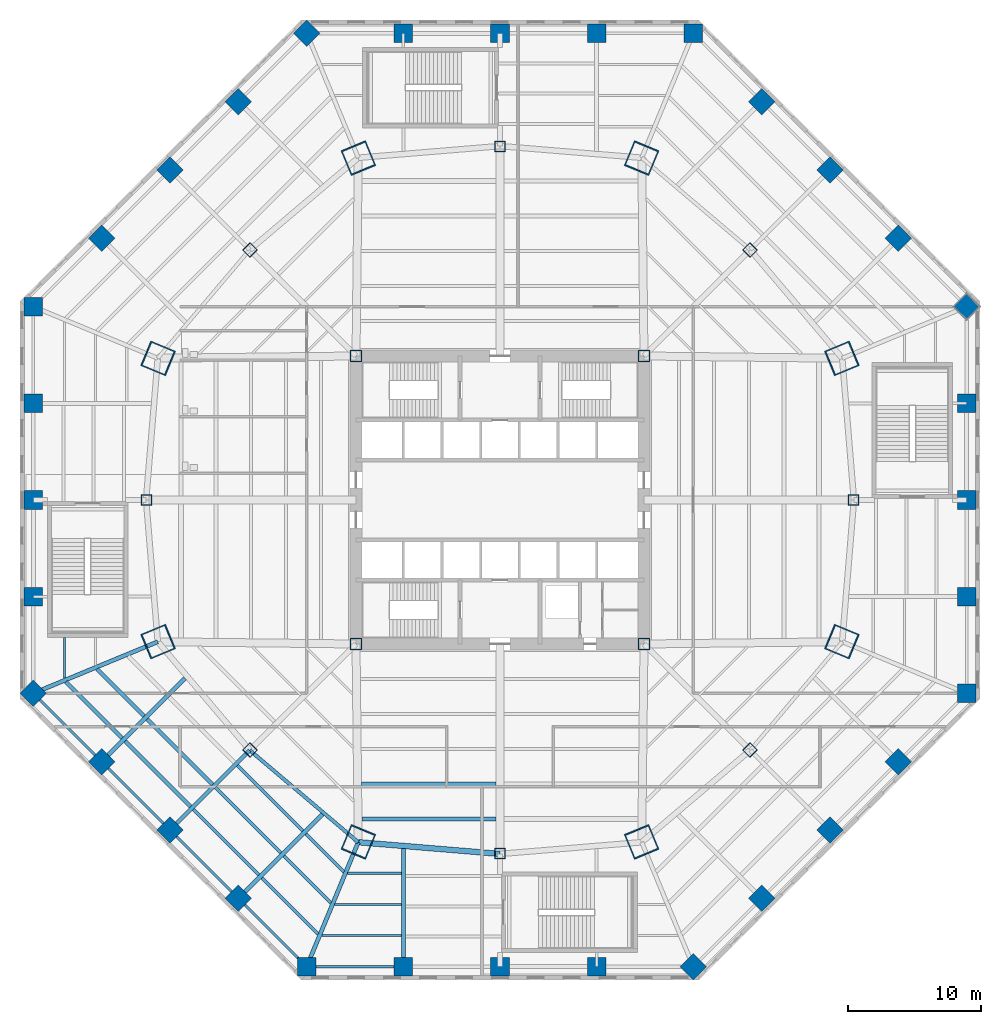
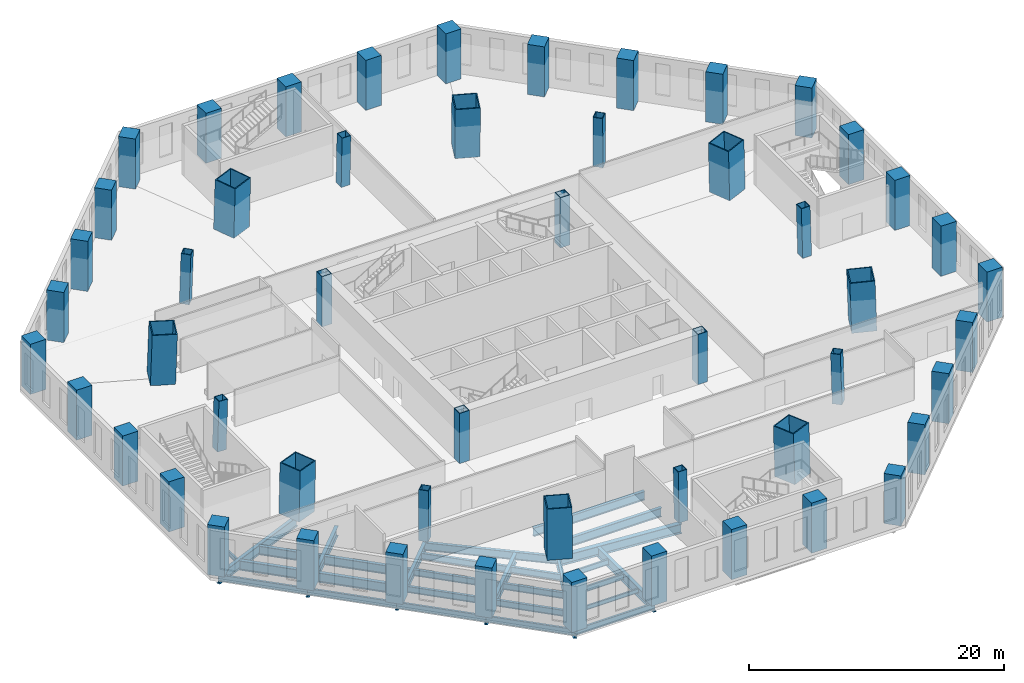
# One storey, part 1 of 19: 52 columns, 29 beams.
"""IFC4 building model written with IfcOpenShell, lengths in metres."""

from ifc_helpers import new_model, si_unit, direction, frame, origin, origin_2d, place, context, subcontext, project, spatial, rectangle, hollow_rectangle, i_section, extrude, material, material_profile, profile_set, type_object, element, save


model = new_model("IFC4")

# Units and contexts
model_context = context("Model", 3, precision=1e-05, world=origin(), true_north=direction((0.0, 1.0)))
body_context = subcontext(model_context, "Body", "Model", "MODEL_VIEW")
ifc_project = project(units=[si_unit("LENGTHUNIT", "METRE"), si_unit("AREAUNIT", "SQUARE_METRE"), si_unit("VOLUMEUNIT", "CUBIC_METRE"), si_unit("PLANEANGLEUNIT", "RADIAN"), si_unit("MASSUNIT", "GRAM", prefix="KILO")], contexts=[model_context])

# Site, building, storey
site_placement = place(None, origin())
site = spatial("IfcSite", under=ifc_project, at=site_placement, CompositionType="ELEMENT")
building_placement = place(site_placement, origin())
building = spatial("IfcBuilding", under=site, at=building_placement, Name="Mashrafa Tower", CompositionType="ELEMENT")
storey_placement = place(building_placement, frame((0.0, 0.0, 24.0)))
storey = spatial("IfcBuildingStorey", under=building, at=storey_placement, Name="L04", CompositionType="ELEMENT", Elevation=24.0)

# Columns
ifc_material_1 = material(Name="Steel ASTM A572 Gr 50", Category="steel")
ifc_material_profile_1 = material_profile(ifc_material_1, hollow_rectangle(XDim=0.89990234375, YDim=0.89990234375, WallThickness=0.06005859375, at=origin_2d()), Name="BOX900X900X60")
ifc_profile_set_1 = profile_set([ifc_material_profile_1], Name="Steel ASTM A572 Gr 50")
column_type_1 = type_object("IfcColumnType", Name="Core corner column BOX900X900X60", PredefinedType="COLUMN", material=ifc_profile_set_1)
for number, where, z_axis, x_axis, name in (
    (1, (10.800048828125, 10.800048828125, 0.0), (0.0, 0.0, 1.0), (1.0, 0.0, 0.0), "Core corner column CC-NE L04"),
    (2, (-10.800048828125, 10.800048828125, 0.0), (0.0, 0.0, 1.0), (1.0, 0.0, 0.0), "Core corner column CC-NW L04"),
    (3, (-10.800048828125, -10.800048828125, 0.0), (0.0, 0.0, 1.0), (1.0, 0.0, 0.0), "Core corner column CC-SW L04"),
    (4, (10.800048828125, -10.800048828125, 0.0), (0.0, 0.0, 1.0), (1.0, 0.0, 0.0), "Core corner column CC-SE L04"),
):
    element("IfcColumn", number, at=place(storey_placement, frame(where, z_axis=z_axis, x_axis=x_axis)), inside=storey, type_object=column_type_1, Name=name, PredefinedType="COLUMN", context=body_context, shape_type="SweptSolid", body=[
        extrude(hollow_rectangle(XDim=0.89990234375, YDim=0.89990234375, WallThickness=0.06005859375, at=origin_2d()), origin(), (0.0, 0.0, 1.0), 4.800048828125),
    ])
ifc_material_2 = material(Name="Steel ASTM A572 Gr 50", Category="steel")
ifc_material_profile_2 = material_profile(ifc_material_2, hollow_rectangle(XDim=2.0, YDim=2.0, WallThickness=0.090087890625, at=origin_2d()), Name="BOX2000X2000X90")
ifc_profile_set_2 = profile_set([ifc_material_profile_2], Name="Steel ASTM A572 Gr 50")
column_type_2 = type_object("IfcColumnType", Name="Mega column CFST BOX2000X2000X90", PredefinedType="COLUMN", material=ifc_profile_set_2)
for number, where, z_axis, x_axis, name in (
    (5, (25.657470703125, 10.627685546875, 0.0), (-0.028266101221, -0.011692811656, 0.999532043347), (0.382253928177, -0.924057322028, 0.0), "Mega column MC1 L04"),
    (6, (10.627685546875, 25.657470703125, 0.0), (-0.011692811656, -0.028266101221, 0.999532043347), (0.924057322028, -0.382253928177, 0.0), "Mega column MC2 L04"),
    (7, (-10.627685546875, 25.657470703125, 0.0), (0.011692811656, -0.028266101221, 0.999532043347), (0.924057322028, 0.382253928177, 0.0), "Mega column MC3 L04"),
    (8, (-25.657470703125, 10.627685546875, 0.0), (0.028266101221, -0.011692811656, 0.999532043347), (0.382253928177, 0.924057322028, 0.0), "Mega column MC4 L04"),
    (9, (-25.657470703125, -10.627685546875, 0.0), (0.028266101221, 0.011692811656, 0.999532043347), (-0.382253928177, 0.924057322028, 0.0), "Mega column MC5 L04"),
    (10, (-10.627685546875, -25.657470703125, 0.0), (0.011692811656, 0.028266101221, 0.999532043347), (-0.924057322028, 0.382253928177, 0.0), "Mega column MC6 L04"),
    (11, (10.627685546875, -25.657470703125, 0.0), (-0.011692811656, 0.028266101221, 0.999532043347), (-0.924057322028, -0.382253928177, 0.0), "Mega column MC7 L04"),
    (12, (25.657470703125, -10.627685546875, 0.0), (-0.028266101221, 0.011692811656, 0.999532043347), (-0.382253928177, -0.924057322028, 0.0), "Mega column MC8 L04"),
):
    element("IfcColumn", number, at=place(storey_placement, frame(where, z_axis=z_axis, x_axis=x_axis)), inside=storey, type_object=column_type_2, Name=name, PredefinedType="COLUMN", context=body_context, shape_type="SweptSolid", body=[
        extrude(hollow_rectangle(XDim=2.0, YDim=2.0, WallThickness=0.090087890625, at=origin_2d()), origin(), (0.0, 0.0, 1.0), 4.80224609375),
    ])
ifc_material_3 = material(Name="Concrete C50/60", Category="concrete")
ifc_material_profile_3 = material_profile(ifc_material_3, rectangle(XDim=1.39990234375, YDim=1.39990234375, at=origin_2d()), Name="RC1400X1400")
ifc_profile_set_3 = profile_set([ifc_material_profile_3], Name="Concrete C50/60")
column_type_3 = type_object("IfcColumnType", Name="Podium column RC1400X1400", PredefinedType="COLUMN", material=ifc_profile_set_3)
for number, where, z_axis, x_axis, name in (
    (13, (35.0, -14.49755859375, 0.0), (0.0, 0.0, 1.0), (1.0, 0.0, 0.0), "Podium column PC01 L04"),
    (14, (35.0, -7.248779296875, 0.0), (0.0, 0.0, 1.0), (1.0, 0.0, 0.0), "Podium column PC02 L04"),
    (15, (35.0, 0.0, 0.0), (0.0, 0.0, 1.0), (1.0, 0.0, 0.0), "Podium column PC03 L04"),
    (16, (35.0, 7.248779296875, 0.0), (0.0, 0.0, 1.0), (1.0, 0.0, 0.0), "Podium column PC04 L04"),
    (17, (35.0, 14.49755859375, 0.0), (0.0, 0.0, 1.0), (0.707106781187, 0.707106781187, 0.0), "Podium column PC05 L04"),
    (18, (29.874267578125, 19.623046875, 0.0), (0.0, 0.0, 1.0), (0.707106781187, 0.707106781187, 0.0), "Podium column PC06 L04"),
    (19, (24.748779296875, 24.748779296875, 0.0), (0.0, 0.0, 1.0), (0.707106781187, 0.707106781187, 0.0), "Podium column PC07 L04"),
    (20, (19.623046875, 29.874267578125, 0.0), (0.0, 0.0, 1.0), (0.707106781187, 0.707106781187, 0.0), "Podium column PC08 L04"),
    (21, (14.49755859375, 35.0, 0.0), (0.0, 0.0, 1.0), (1.0, 0.0, 0.0), "Podium column PC09 L04"),
    (22, (7.248779296875, 35.0, 0.0), (0.0, 0.0, 1.0), (1.0, 0.0, 0.0), "Podium column PC10 L04"),
    (23, (0.0, 35.0, 0.0), (0.0, 0.0, 1.0), (1.0, 0.0, 0.0), "Podium column PC11 L04"),
    (24, (-7.248779296875, 35.0, 0.0), (0.0, 0.0, 1.0), (1.0, 0.0, 0.0), "Podium column PC12 L04"),
    (25, (-14.49755859375, 35.0, 0.0), (0.0, 0.0, 1.0), (0.707106781187, 0.707106781187, 0.0), "Podium column PC13 L04"),
    (26, (-19.623046875, 29.874267578125, 0.0), (0.0, 0.0, 1.0), (0.707106781187, 0.707106781187, 0.0), "Podium column PC14 L04"),
    (27, (-24.748779296875, 24.748779296875, 0.0), (0.0, 0.0, 1.0), (0.707106781187, 0.707106781187, 0.0), "Podium column PC15 L04"),
    (28, (-29.874267578125, 19.623046875, 0.0), (0.0, 0.0, 1.0), (0.707106781187, 0.707106781187, 0.0), "Podium column PC16 L04"),
    (29, (-35.0, 14.49755859375, 0.0), (0.0, 0.0, 1.0), (1.0, 0.0, 0.0), "Podium column PC17 L04"),
    (30, (-35.0, 7.248779296875, 0.0), (0.0, 0.0, 1.0), (1.0, 0.0, 0.0), "Podium column PC18 L04"),
    (31, (-35.0, 0.0, 0.0), (0.0, 0.0, 1.0), (1.0, 0.0, 0.0), "Podium column PC19 L04"),
    (32, (-35.0, -7.248779296875, 0.0), (0.0, 0.0, 1.0), (1.0, 0.0, 0.0), "Podium column PC20 L04"),
    (33, (-35.0, -14.49755859375, 0.0), (0.0, 0.0, 1.0), (0.707106781187, 0.707106781187, 0.0), "Podium column PC21 L04"),
    (34, (-29.874267578125, -19.623046875, 0.0), (0.0, 0.0, 1.0), (0.707106781187, 0.707106781187, 0.0), "Podium column PC22 L04"),
    (35, (-24.748779296875, -24.748779296875, 0.0), (0.0, 0.0, 1.0), (0.707106781187, 0.707106781187, 0.0), "Podium column PC23 L04"),
    (36, (-19.623046875, -29.874267578125, 0.0), (0.0, 0.0, 1.0), (0.707106781187, 0.707106781187, 0.0), "Podium column PC24 L04"),
    (37, (-14.49755859375, -35.0, 0.0), (0.0, 0.0, 1.0), (1.0, 0.0, 0.0), "Podium column PC25 L04"),
    (38, (-7.248779296875, -35.0, 0.0), (0.0, 0.0, 1.0), (1.0, 0.0, 0.0), "Podium column PC26 L04"),
    (39, (0.0, -35.0, 0.0), (0.0, 0.0, 1.0), (1.0, 0.0, 0.0), "Podium column PC27 L04"),
    (40, (7.248779296875, -35.0, 0.0), (0.0, 0.0, 1.0), (1.0, 0.0, 0.0), "Podium column PC28 L04"),
    (41, (14.49755859375, -35.0, 0.0), (0.0, 0.0, 1.0), (0.707106781187, 0.707106781187, 0.0), "Podium column PC29 L04"),
    (42, (19.623046875, -29.874267578125, 0.0), (0.0, 0.0, 1.0), (0.707106781187, 0.707106781187, 0.0), "Podium column PC30 L04"),
    (43, (24.748779296875, -24.748779296875, 0.0), (0.0, 0.0, 1.0), (0.707106781187, 0.707106781187, 0.0), "Podium column PC31 L04"),
    (44, (29.874267578125, -19.623046875, 0.0), (0.0, 0.0, 1.0), (0.707106781187, 0.707106781187, 0.0), "Podium column PC32 L04"),
):
    element("IfcColumn", number, at=place(storey_placement, frame(where, z_axis=z_axis, x_axis=x_axis)), inside=storey, type_object=column_type_3, Name=name, PredefinedType="COLUMN", context=body_context, shape_type="SweptSolid", body=[
        extrude(rectangle(XDim=1.39990234375, YDim=1.39990234375, at=origin_2d()), origin(), (0.0, 0.0, 1.0), 4.800048828125),
    ])
ifc_material_4 = material(Name="Steel ASTM A572 Gr 50", Category="steel")
ifc_material_profile_4 = material_profile(ifc_material_4, hollow_rectangle(XDim=0.800048828125, YDim=0.800048828125, WallThickness=0.050048828125, at=origin_2d()), Name="BOX800X800X50")
ifc_profile_set_4 = profile_set([ifc_material_profile_4], Name="Steel ASTM A572 Gr 50")
column_type_4 = type_object("IfcColumnType", Name="Secondary column BOX800X800X50", PredefinedType="COLUMN", material=ifc_profile_set_4)
for number, where, z_axis, x_axis, name in (
    (45, (26.535888671875, 0.0, 0.0), (-0.028318834767, 0.0, 0.999598941375), (0.0, -1.0, 0.0), "Secondary column SC1 L04"),
    (46, (18.763671875, 18.763671875, 0.0), (-0.019980828539, -0.019980828539, 0.999600686765), (0.707106781187, -0.707106781187, 0.0), "Secondary column SC2 L04"),
    (47, (0.0, 26.535888671875, 0.0), (0.0, -0.028318834767, 0.999598941375), (1.0, 0.0, 0.0), "Secondary column SC3 L04"),
    (48, (-18.763671875, 18.763671875, 0.0), (0.019980828539, -0.019980828539, 0.999600686765), (0.707106781187, 0.707106781187, 0.0), "Secondary column SC4 L04"),
    (49, (-26.535888671875, 0.0, 0.0), (0.028318834767, 0.0, 0.999598941375), (0.0, 1.0, 0.0), "Secondary column SC5 L04"),
    (50, (-18.763671875, -18.763671875, 0.0), (0.019980828539, 0.019980828539, 0.999600686765), (-0.707106781187, 0.707106781187, 0.0), "Secondary column SC6 L04"),
    (51, (0.0, -26.535888671875, 0.0), (0.0, 0.028318834767, 0.999598941375), (-1.0, 0.0, 0.0), "Secondary column SC7 L04"),
    (52, (18.763671875, -18.763671875, 0.0), (-0.019980828539, 0.019980828539, 0.999600686765), (-0.707106781187, -0.707106781187, 0.0), "Secondary column SC8 L04"),
):
    element("IfcColumn", number, at=place(storey_placement, frame(where, z_axis=z_axis, x_axis=x_axis)), inside=storey, type_object=column_type_4, Name=name, PredefinedType="COLUMN", context=body_context, shape_type="SweptSolid", body=[
        extrude(hollow_rectangle(XDim=0.800048828125, YDim=0.800048828125, WallThickness=0.050048828125, at=origin_2d()), origin(), (0.0, 0.0, 1.0), 4.802001953125),
    ])

# Beams
ifc_material_5 = material(Name="Steel ASTM A992", Category="steel")
ifc_material_profile_5 = material_profile(ifc_material_5, i_section(OverallWidth=0.140380859375, OverallDepth=0.40380859375, WebThickness=0.007080078125, FlangeThickness=0.01123046875, FilletRadius=0.01025390625, at=origin_2d()), Name="W16X31")
ifc_profile_set_5 = profile_set([ifc_material_profile_5], Name="Steel ASTM A992")
beam_type_1 = type_object("IfcBeamType", Name="Beam W16X31", PredefinedType="BEAM", material=ifc_profile_set_5)
beam_1_placement = place(storey_placement, frame((-7.40234375, -32.66650390625, -0.501953125), z_axis=(-1.0, 0.0, 0.0), x_axis=(0.0, -1.0, 0.0)))
element("IfcBeam", 53, at=beam_1_placement, inside=storey, type_object=beam_type_1, Name="Floor beam L04 050", PredefinedType="BEAM", context=body_context, shape_type="SweptSolid", body=[
    extrude(i_section(OverallWidth=0.140380859375, OverallDepth=0.40380859375, WebThickness=0.007080078125, FlangeThickness=0.01123046875, FilletRadius=0.01025390625, at=origin_2d()), origin(), (0.0, 0.0, 1.0), 5.962158203125),
])
ifc_material_6 = material(Name="Steel ASTM A992", Category="steel")
ifc_material_profile_6 = material_profile(ifc_material_6, i_section(OverallWidth=0.15234375, OverallDepth=0.449462890625, WebThickness=0.007568359375, FlangeThickness=0.0107421875, FilletRadius=0.01025390625, at=origin_2d()), Name="W18X35")
ifc_profile_set_6 = profile_set([ifc_material_profile_6], Name="Steel ASTM A992")
beam_type_2 = type_object("IfcBeamType", Name="Beam W18X35", PredefinedType="BEAM", material=ifc_profile_set_6)
beam_2_placement = place(storey_placement, frame((-32.66650390625, -13.364501953125, -0.52490234375), z_axis=(0.0, 1.0, 0.0), x_axis=(-1.0, 0.0, 0.0)))
element("IfcBeam", 54, at=beam_2_placement, inside=storey, type_object=beam_type_2, Name="Floor beam L04 002", PredefinedType="BEAM", context=body_context, shape_type="SweptSolid", body=[
    extrude(i_section(OverallWidth=0.15234375, OverallDepth=0.449462890625, WebThickness=0.007568359375, FlangeThickness=0.0107421875, FilletRadius=0.01025390625, at=origin_2d()), origin(), (0.0, 0.0, 1.0), 3.064453125),
])
ifc_material_7 = material(Name="Steel ASTM A992", Category="steel")
ifc_material_profile_7 = material_profile(ifc_material_7, i_section(OverallWidth=0.1650390625, OverallDepth=0.52587890625, WebThickness=0.0087890625, FlangeThickness=0.011474609375, FilletRadius=0.0126953125, at=origin_2d()), Name="W21X44")
ifc_profile_set_7 = profile_set([ifc_material_profile_7], Name="Steel ASTM A992")
beam_type_3 = type_object("IfcBeamType", Name="Beam W21X44", PredefinedType="BEAM", material=ifc_profile_set_7)
beam_3_placement = place(storey_placement, frame((-7.40234375, -30.3330078125, -0.56298828125), z_axis=(-1.0, 0.0, 0.0), x_axis=(0.0, -1.0, 0.0)))
element("IfcBeam", 55, at=beam_3_placement, inside=storey, type_object=beam_type_3, Name="Floor beam L04 051", PredefinedType="BEAM", context=body_context, shape_type="SweptSolid", body=[
    extrude(i_section(OverallWidth=0.1650390625, OverallDepth=0.52587890625, WebThickness=0.0087890625, FlangeThickness=0.011474609375, FilletRadius=0.0126953125, at=origin_2d()), origin(), (0.0, 0.0, 1.0), 4.995849609375),
])
beam_4_placement = place(storey_placement, frame((-7.40234375, -27.99951171875, -0.56298828125), z_axis=(-1.0, 0.0, 0.0), x_axis=(0.0, -1.0, 0.0)))
element("IfcBeam", 56, at=beam_4_placement, inside=storey, type_object=beam_type_3, Name="Floor beam L04 052", PredefinedType="BEAM", context=body_context, shape_type="SweptSolid", body=[
    extrude(i_section(OverallWidth=0.1650390625, OverallDepth=0.52587890625, WebThickness=0.0087890625, FlangeThickness=0.011474609375, FilletRadius=0.0126953125, at=origin_2d()), origin(), (0.0, 0.0, 1.0), 4.029052734375),
])
ifc_material_8 = material(Name="Steel ASTM A992", Category="steel")
ifc_material_profile_8 = material_profile(ifc_material_8, i_section(OverallWidth=0.177978515625, OverallDepth=0.599365234375, WebThickness=0.010009765625, FlangeThickness=0.012939453125, FilletRadius=0.012939453125, at=origin_2d()), Name="W24X55")
ifc_profile_set_8 = profile_set([ifc_material_profile_8], Name="Steel ASTM A992")
beam_type_4 = type_object("IfcBeamType", Name="Beam W24X55", PredefinedType="BEAM", material=ifc_profile_set_8)
beam_5_placement = place(storey_placement, frame((-35.0, -14.49755859375, -0.599609375), z_axis=(0.707106781187, -0.707106781187, 0.0), x_axis=(0.707106781187, 0.707106781187, 0.0)))
element("IfcBeam", 57, at=beam_5_placement, inside=storey, type_object=beam_type_4, Name="Podium edge beam L04 121", PredefinedType="BEAM", context=body_context, shape_type="SweptSolid", body=[
    extrude(i_section(OverallWidth=0.177978515625, OverallDepth=0.599365234375, WebThickness=0.010009765625, FlangeThickness=0.012939453125, FilletRadius=0.012939453125, at=origin_2d()), origin(), (0.0, 0.0, 1.0), 7.24853515625),
])
for number, where, z_axis, x_axis, name in (
    (58, (-29.87451171875, -19.623046875, -0.599609375), (0.707106781187, -0.707106781187, 0.0), (0.707106781187, 0.707106781187, 0.0), "Podium edge beam L04 126"),
    (59, (-24.748779296875, -24.748779296875, -0.599609375), (0.707106781187, -0.707106781187, 0.0), (0.707106781187, 0.707106781187, 0.0), "Podium edge beam L04 128"),
):
    element("IfcBeam", number, at=place(storey_placement, frame(where, z_axis=z_axis, x_axis=x_axis)), inside=storey, type_object=beam_type_4, Name=name, PredefinedType="BEAM", context=body_context, shape_type="SweptSolid", body=[
        extrude(i_section(OverallWidth=0.177978515625, OverallDepth=0.599365234375, WebThickness=0.010009765625, FlangeThickness=0.012939453125, FilletRadius=0.012939453125, at=origin_2d()), origin(), (0.0, 0.0, 1.0), 7.248779296875),
    ])
beam_6_placement = place(storey_placement, frame((-19.623046875, -29.87451171875, -0.599609375), z_axis=(0.707106781187, -0.707106781187, 0.0), x_axis=(0.707106781187, 0.707106781187, 0.0)))
element("IfcBeam", 60, at=beam_6_placement, inside=storey, type_object=beam_type_4, Name="Podium edge beam L04 130", PredefinedType="BEAM", context=body_context, shape_type="SweptSolid", body=[
    extrude(i_section(OverallWidth=0.177978515625, OverallDepth=0.599365234375, WebThickness=0.010009765625, FlangeThickness=0.012939453125, FilletRadius=0.012939453125, at=origin_2d()), origin(), (0.0, 0.0, 1.0), 7.24853515625),
])
beam_7_placement = place(storey_placement, frame((-14.49755859375, -35.0, -0.599609375), z_axis=(1.0, 0.0, 0.0), x_axis=(0.0, 1.0, 0.0)))
element("IfcBeam", 61, at=beam_7_placement, inside=storey, type_object=beam_type_4, Name="Podium edge beam L04 132", PredefinedType="BEAM", context=body_context, shape_type="SweptSolid", body=[
    extrude(i_section(OverallWidth=0.177978515625, OverallDepth=0.599365234375, WebThickness=0.010009765625, FlangeThickness=0.012939453125, FilletRadius=0.012939453125, at=origin_2d()), origin(), (0.0, 0.0, 1.0), 7.248779296875),
])
ifc_material_9 = material(Name="Steel ASTM A992", Category="steel")
ifc_material_profile_9 = material_profile(ifc_material_9, i_section(OverallWidth=0.227783203125, OverallDepth=0.60205078125, WebThickness=0.010498046875, FlangeThickness=0.014892578125, FilletRadius=0.012939453125, at=origin_2d()), Name="W24X68")
ifc_profile_set_9 = profile_set([ifc_material_profile_9], Name="Steel ASTM A992")
beam_type_5 = type_object("IfcBeamType", Name="Beam W24X68", PredefinedType="BEAM", material=ifc_profile_set_9)
beam_8_placement = place(storey_placement, frame((-12.681884765625, -30.21533203125, -0.60107421875), z_axis=(-0.707131216842, 0.707082344687, 0.0), x_axis=(-0.707082344687, -0.707131216842, 0.0)))
element("IfcBeam", 62, at=beam_8_placement, inside=storey, type_object=beam_type_5, Name="Floor beam L04 039 part 1", PredefinedType="BEAM", context=body_context, shape_type="SweptSolid", body=[
    extrude(i_section(OverallWidth=0.227783203125, OverallDepth=0.60205078125, WebThickness=0.010498046875, FlangeThickness=0.014892578125, FilletRadius=0.012939453125, at=origin_2d()), origin(), (0.0, 0.0, 1.0), 4.99560546875),
])
beam_9_placement = place(storey_placement, frame((-16.431640625, -26.465576171875, -0.60107421875), z_axis=(-0.707124347529, 0.707089214407, 0.0), x_axis=(-0.707089214407, -0.707124347529, 0.0)))
element("IfcBeam", 63, at=beam_9_placement, inside=storey, type_object=beam_type_5, Name="Floor beam L04 039 part 2", PredefinedType="BEAM", context=body_context, shape_type="SweptSolid", body=[
    extrude(i_section(OverallWidth=0.227783203125, OverallDepth=0.60205078125, WebThickness=0.010498046875, FlangeThickness=0.014892578125, FilletRadius=0.012939453125, at=origin_2d()), origin(), (0.0, 0.0, 1.0), 6.948974609375),
])
ifc_material_10 = material(Name="Steel ASTM A992", Category="steel")
ifc_material_profile_10 = material_profile(ifc_material_10, i_section(OverallWidth=0.228271484375, OverallDepth=0.607177734375, WebThickness=0.01123046875, FlangeThickness=0.017333984375, FilletRadius=0.0126953125, at=origin_2d()), Name="W24X76")
ifc_profile_set_10 = profile_set([ifc_material_profile_10], Name="Steel ASTM A992")
beam_type_6 = type_object("IfcBeamType", Name="Beam W24X76", PredefinedType="BEAM", material=ifc_profile_set_10)
beam_10_placement = place(storey_placement, frame((-13.6484375, -32.548828125, -0.603515625), z_axis=(-0.707127254781, 0.707086306999, 0.0), x_axis=(-0.707086306999, -0.707127254781, 0.0)))
element("IfcBeam", 64, at=beam_10_placement, inside=storey, type_object=beam_type_6, Name="Floor beam L04 033 part 1", PredefinedType="BEAM", context=body_context, shape_type="SweptSolid", body=[
    extrude(i_section(OverallWidth=0.228271484375, OverallDepth=0.607177734375, WebThickness=0.01123046875, FlangeThickness=0.017333984375, FilletRadius=0.0126953125, at=origin_2d()), origin(), (0.0, 0.0, 1.0), 5.962158203125),
])
beam_11_placement = place(storey_placement, frame((-18.081787109375, -28.11572265625, -0.603515625), z_axis=(-0.707089214407, 0.707124347529, 0.0), x_axis=(-0.707124347529, -0.707089214407, 0.0)))
element("IfcBeam", 65, at=beam_11_placement, inside=storey, type_object=beam_type_6, Name="Floor beam L04 033 part 2", PredefinedType="BEAM", context=body_context, shape_type="SweptSolid", body=[
    extrude(i_section(OverallWidth=0.228271484375, OverallDepth=0.607177734375, WebThickness=0.01123046875, FlangeThickness=0.017333984375, FilletRadius=0.0126953125, at=origin_2d()), origin(), (0.0, 0.0, 1.0), 6.948974609375),
])
ifc_material_11 = material(Name="Steel ASTM A992", Category="steel")
ifc_material_profile_11 = material_profile(ifc_material_11, i_section(OverallWidth=0.22900390625, OverallDepth=0.612060546875, WebThickness=0.011962890625, FlangeThickness=0.01953125, FilletRadius=0.0126953125, at=origin_2d()), Name="W24X84")
ifc_profile_set_11 = profile_set([ifc_material_profile_11], Name="Steel ASTM A992")
beam_type_7 = type_object("IfcBeamType", Name="Beam W24X84", PredefinedType="BEAM", material=ifc_profile_set_11)
beam_12_placement = place(storey_placement, frame((-11.71533203125, -27.882080078125, -0.60595703125), z_axis=(-0.707106781187, 0.707106781187, 0.0), x_axis=(-0.707106781187, -0.707106781187, 0.0)))
element("IfcBeam", 66, at=beam_12_placement, inside=storey, type_object=beam_type_7, Name="Floor beam L04 041 part 1", PredefinedType="BEAM", context=body_context, shape_type="SweptSolid", body=[
    extrude(i_section(OverallWidth=0.22900390625, OverallDepth=0.612060546875, WebThickness=0.011962890625, FlangeThickness=0.01953125, FilletRadius=0.0126953125, at=origin_2d()), origin(), (0.0, 0.0, 1.0), 4.02880859375),
])
beam_13_placement = place(storey_placement, frame((-14.78173828125, -24.815673828125, -0.60595703125), z_axis=(-0.707106781187, 0.707106781187, 0.0), x_axis=(-0.707106781187, -0.707106781187, 0.0)))
element("IfcBeam", 67, at=beam_13_placement, inside=storey, type_object=beam_type_7, Name="Floor beam L04 041 part 2", PredefinedType="BEAM", context=body_context, shape_type="SweptSolid", body=[
    extrude(i_section(OverallWidth=0.22900390625, OverallDepth=0.612060546875, WebThickness=0.011962890625, FlangeThickness=0.01953125, FilletRadius=0.0126953125, at=origin_2d()), origin(), (0.0, 0.0, 1.0), 6.94873046875),
])
ifc_material_12 = material(Name="Steel ASTM A992", Category="steel")
ifc_material_profile_12 = material_profile(ifc_material_12, i_section(OverallWidth=0.2666015625, OverallDepth=0.75439453125, WebThickness=0.01318359375, FlangeThickness=0.01708984375, FilletRadius=0.0166015625, at=origin_2d()), Name="W30X99")
ifc_profile_set_12 = profile_set([ifc_material_profile_12], Name="Steel ASTM A992")
beam_type_8 = type_object("IfcBeamType", Name="Beam W30X99", PredefinedType="BEAM", material=ifc_profile_set_12)
beam_14_placement = place(storey_placement, frame((-18.76953125, -18.76953125, -0.67724609375), z_axis=(0.762918176562, -0.646495054793, 0.0), x_axis=(0.646495054793, 0.762918176562, 0.0)))
element("IfcBeam", 68, at=beam_14_placement, inside=storey, type_object=beam_type_8, Name="Podium ring girder L04 196", PredefinedType="BEAM", context=body_context, shape_type="SweptSolid", body=[
    extrude(i_section(OverallWidth=0.2666015625, OverallDepth=0.75439453125, WebThickness=0.01318359375, FlangeThickness=0.01708984375, FilletRadius=0.0166015625, at=origin_2d()), origin(), (0.0, 0.0, 1.0), 10.66748046875),
])
ifc_material_13 = material(Name="Steel ASTM A992", Category="steel")
ifc_material_profile_13 = material_profile(ifc_material_13, i_section(OverallWidth=0.2919921875, OverallDepth=0.8408203125, WebThickness=0.0146484375, FlangeThickness=0.021728515625, FilletRadius=0.017333984375, at=origin_2d()), Name="W33X130")
ifc_profile_set_13 = profile_set([ifc_material_profile_13], Name="Steel ASTM A992")
beam_type_9 = type_object("IfcBeamType", Name="Beam W33X130", PredefinedType="BEAM", material=ifc_profile_set_13)
beam_15_placement = place(storey_placement, frame((-0.300048828125, -21.296142578125, -0.720458984375), z_axis=(-1.0, 0.0, 0.0), x_axis=(0.0, -1.0, 0.0)))
element("IfcBeam", 69, at=beam_15_placement, inside=storey, type_object=beam_type_9, Name="Floor beam L04 057", PredefinedType="BEAM", context=body_context, shape_type="SweptSolid", body=[
    extrude(i_section(OverallWidth=0.2919921875, OverallDepth=0.8408203125, WebThickness=0.0146484375, FlangeThickness=0.021728515625, FilletRadius=0.017333984375, at=origin_2d()), origin(), (0.0, 0.0, 1.0), 10.080810546875),
])
ifc_material_14 = material(Name="Steel ASTM A992", Category="steel")
ifc_material_profile_14 = material_profile(ifc_material_14, i_section(OverallWidth=0.2919921875, OverallDepth=0.845703125, WebThickness=0.015380859375, FlangeThickness=0.0244140625, FilletRadius=0.017333984375, at=origin_2d()), Name="W33X141")
ifc_profile_set_14 = profile_set([ifc_material_profile_14], Name="Steel ASTM A992")
beam_type_10 = type_object("IfcBeamType", Name="Beam W33X141", PredefinedType="BEAM", material=ifc_profile_set_14)
beam_16_placement = place(storey_placement, frame((-21.552001953125, -21.345458984375, -0.722900390625), z_axis=(-0.707089214407, 0.707124347529, 0.0), x_axis=(-0.707124347529, -0.707089214407, 0.0)))
element("IfcBeam", 70, at=beam_16_placement, inside=storey, type_object=beam_type_10, Name="Floor beam L04 017 part 1", PredefinedType="BEAM", context=body_context, shape_type="SweptSolid", body=[
    extrude(i_section(OverallWidth=0.2919921875, OverallDepth=0.845703125, WebThickness=0.015380859375, FlangeThickness=0.0244140625, FilletRadius=0.017333984375, at=origin_2d()), origin(), (0.0, 0.0, 1.0), 6.948974609375),
])
beam_17_placement = place(storey_placement, frame((-26.68310546875, -16.21435546875, -0.722900390625), z_axis=(-0.707082344687, 0.707131216842, 0.0), x_axis=(-0.707131216842, -0.707082344687, 0.0)))
element("IfcBeam", 71, at=beam_17_placement, inside=storey, type_object=beam_type_10, Name="Floor beam L04 017 part 2", PredefinedType="BEAM", context=body_context, shape_type="SweptSolid", body=[
    extrude(i_section(OverallWidth=0.2919921875, OverallDepth=0.845703125, WebThickness=0.015380859375, FlangeThickness=0.0244140625, FilletRadius=0.017333984375, at=origin_2d()), origin(), (0.0, 0.0, 1.0), 4.99560546875),
])
beam_18_placement = place(storey_placement, frame((-0.300048828125, -23.92041015625, -0.722900390625), z_axis=(-1.0, 0.0, 0.0), x_axis=(0.0, -1.0, 0.0)))
element("IfcBeam", 72, at=beam_18_placement, inside=storey, type_object=beam_type_10, Name="Floor beam L04 056", PredefinedType="BEAM", context=body_context, shape_type="SweptSolid", body=[
    extrude(i_section(OverallWidth=0.2919921875, OverallDepth=0.845703125, WebThickness=0.015380859375, FlangeThickness=0.0244140625, FilletRadius=0.017333984375, at=origin_2d()), origin(), (0.0, 0.0, 1.0), 10.051025390625),
])
ifc_material_15 = material(Name="Steel ASTM A992", Category="steel")
ifc_material_profile_15 = material_profile(ifc_material_15, i_section(OverallWidth=0.2919921875, OverallDepth=0.8583984375, WebThickness=0.01708984375, FlangeThickness=0.031005859375, FilletRadius=0.017822265625, at=origin_2d()), Name="W33X169")
ifc_profile_set_15 = profile_set([ifc_material_profile_15], Name="Steel ASTM A992")
beam_type_11 = type_object("IfcBeamType", Name="Beam W33X169", PredefinedType="BEAM", material=ifc_profile_set_15)
beam_19_placement = place(storey_placement, frame((-18.76953125, -18.76953125, -0.729248046875), z_axis=(-0.707106781187, -0.707106781187, 0.0), x_axis=(0.707106781187, -0.707106781187, 0.0)))
element("IfcBeam", 73, at=beam_19_placement, inside=storey, type_object=beam_type_11, Name="Podium radial beam L04 162", PredefinedType="BEAM", context=body_context, shape_type="SweptSolid", body=[
    extrude(i_section(OverallWidth=0.2919921875, OverallDepth=0.8583984375, WebThickness=0.01708984375, FlangeThickness=0.031005859375, FilletRadius=0.017822265625, at=origin_2d()), origin(), (0.0, 0.0, 1.0), 8.4560546875),
])
ifc_material_16 = material(Name="Steel ASTM A992", Category="steel")
ifc_material_profile_16 = material_profile(ifc_material_16, i_section(OverallWidth=0.3046875, OverallDepth=0.911865234375, WebThickness=0.015869140625, FlangeThickness=0.02392578125, FilletRadius=0.01904296875, at=origin_2d()), Name="W36X150")
ifc_profile_set_16 = profile_set([ifc_material_profile_16], Name="Steel ASTM A992")
beam_type_12 = type_object("IfcBeamType", Name="Beam W36X150", PredefinedType="BEAM", material=ifc_profile_set_16)
beam_20_placement = place(storey_placement, frame((-23.201904296875, -22.995361328125, -0.755859375), z_axis=(-0.707124347529, 0.707089214407, 0.0), x_axis=(-0.707089214407, -0.707124347529, 0.0)))
element("IfcBeam", 74, at=beam_20_placement, inside=storey, type_object=beam_type_12, Name="Floor beam L04 014 part 1", PredefinedType="BEAM", context=body_context, shape_type="SweptSolid", body=[
    extrude(i_section(OverallWidth=0.3046875, OverallDepth=0.911865234375, WebThickness=0.015869140625, FlangeThickness=0.02392578125, FilletRadius=0.01904296875, at=origin_2d()), origin(), (0.0, 0.0, 1.0), 6.948974609375),
])
beam_21_placement = place(storey_placement, frame((-28.3330078125, -17.864501953125, -0.755859375), z_axis=(-0.707086306999, 0.707127254781, 0.0), x_axis=(-0.707127254781, -0.707086306999, 0.0)))
element("IfcBeam", 75, at=beam_21_placement, inside=storey, type_object=beam_type_12, Name="Floor beam L04 014 part 2", PredefinedType="BEAM", context=body_context, shape_type="SweptSolid", body=[
    extrude(i_section(OverallWidth=0.3046875, OverallDepth=0.911865234375, WebThickness=0.015869140625, FlangeThickness=0.02392578125, FilletRadius=0.01904296875, at=origin_2d()), origin(), (0.0, 0.0, 1.0), 5.962158203125),
])
ifc_material_17 = material(Name="Steel ASTM A992", Category="steel")
ifc_material_profile_17 = material_profile(ifc_material_17, i_section(OverallWidth=0.307373046875, OverallDepth=0.927001953125, WebThickness=0.01953125, FlangeThickness=0.031982421875, FilletRadius=0.01904296875, at=origin_2d()), Name="W36X194")
ifc_profile_set_17 = profile_set([ifc_material_profile_17], Name="Steel ASTM A992")
beam_type_13 = type_object("IfcBeamType", Name="Beam W36X194", PredefinedType="BEAM", material=ifc_profile_set_17)
beam_22_placement = place(storey_placement, frame((-25.666015625, -10.631103515625, -0.763671875), z_axis=(-0.923872807855, -0.382699666719, 0.0), x_axis=(0.382699666719, -0.923872807855, 0.0)))
element("IfcBeam", 76, at=beam_22_placement, inside=storey, type_object=beam_type_13, Name="Podium radial beam L04 158", PredefinedType="BEAM", context=body_context, shape_type="SweptSolid", body=[
    extrude(i_section(OverallWidth=0.307373046875, OverallDepth=0.927001953125, WebThickness=0.01953125, FlangeThickness=0.031982421875, FilletRadius=0.01904296875, at=origin_2d()), origin(), (0.0, 0.0, 1.0), 10.10302734375),
])
beam_23_placement = place(storey_placement, frame((-23.62060546875, -13.369384765625, -0.763671875), z_axis=(-0.707120583374, -0.707092978729, 0.0), x_axis=(0.707092978729, -0.707120583374, 0.0)))
element("IfcBeam", 77, at=beam_23_placement, inside=storey, type_object=beam_type_13, Name="Podium radial beam L04 160", PredefinedType="BEAM", context=body_context, shape_type="SweptSolid", body=[
    extrude(i_section(OverallWidth=0.307373046875, OverallDepth=0.927001953125, WebThickness=0.01953125, FlangeThickness=0.031982421875, FilletRadius=0.01904296875, at=origin_2d()), origin(), (0.0, 0.0, 1.0), 8.84423828125),
])
beam_24_placement = place(storey_placement, frame((-13.315185546875, -23.56640625, -0.763671875), z_axis=(-0.707093097324, -0.707120464785, 0.0), x_axis=(0.707120464785, -0.707093097324, 0.0)))
element("IfcBeam", 78, at=beam_24_placement, inside=storey, type_object=beam_type_13, Name="Podium radial beam L04 164", PredefinedType="BEAM", context=body_context, shape_type="SweptSolid", body=[
    extrude(i_section(OverallWidth=0.307373046875, OverallDepth=0.927001953125, WebThickness=0.01953125, FlangeThickness=0.031982421875, FilletRadius=0.01904296875, at=origin_2d()), origin(), (0.0, 0.0, 1.0), 8.9208984375),
])
beam_25_placement = place(storey_placement, frame((-10.631103515625, -25.666015625, -0.763671875), z_axis=(-0.382699666719, -0.923872807855, 0.0), x_axis=(0.923872807855, -0.382699666719, 0.0)))
element("IfcBeam", 79, at=beam_25_placement, inside=storey, type_object=beam_type_13, Name="Podium radial beam L04 166", PredefinedType="BEAM", context=body_context, shape_type="SweptSolid", body=[
    extrude(i_section(OverallWidth=0.307373046875, OverallDepth=0.927001953125, WebThickness=0.01953125, FlangeThickness=0.031982421875, FilletRadius=0.01904296875, at=origin_2d()), origin(), (0.0, 0.0, 1.0), 10.10302734375),
])
beam_26_placement = place(storey_placement, frame((-7.248779296875, -26.15576171875, -0.763671875), z_axis=(0.0, -1.0, 0.0), x_axis=(1.0, 0.0, 0.0)))
element("IfcBeam", 80, at=beam_26_placement, inside=storey, type_object=beam_type_13, Name="Podium radial beam L04 168", PredefinedType="BEAM", context=body_context, shape_type="SweptSolid", body=[
    extrude(i_section(OverallWidth=0.307373046875, OverallDepth=0.927001953125, WebThickness=0.01953125, FlangeThickness=0.031982421875, FilletRadius=0.01904296875, at=origin_2d()), origin(), (0.0, 0.0, 1.0), 8.84423828125),
])
ifc_material_18 = material(Name="Steel ASTM A992", Category="steel")
ifc_material_profile_18 = material_profile(ifc_material_18, i_section(OverallWidth=0.419189453125, OverallDepth=0.927001953125, WebThickness=0.019287109375, FlangeThickness=0.031982421875, FilletRadius=0.020263671875, at=origin_2d()), Name="W36X231")
ifc_profile_set_18 = profile_set([ifc_material_profile_18], Name="Steel ASTM A992")
beam_type_14 = type_object("IfcBeamType", Name="Beam W36X231", PredefinedType="BEAM", material=ifc_profile_set_18)
beam_27_placement = place(storey_placement, frame((-10.631103515625, -25.666015625, -0.763671875), z_axis=(0.996605633993, -0.082323813652, 0.0), x_axis=(0.082323813652, 0.996605633993, 0.0)))
element("IfcBeam", 81, at=beam_27_placement, inside=storey, type_object=beam_type_14, Name="Podium ring girder L04 198", PredefinedType="BEAM", context=body_context, shape_type="SweptSolid", body=[
    extrude(i_section(OverallWidth=0.419189453125, OverallDepth=0.927001953125, WebThickness=0.019287109375, FlangeThickness=0.031982421875, FilletRadius=0.020263671875, at=origin_2d()), origin(), (0.0, 0.0, 1.0), 10.667236328125),
])

save(model, "model.ifc")
